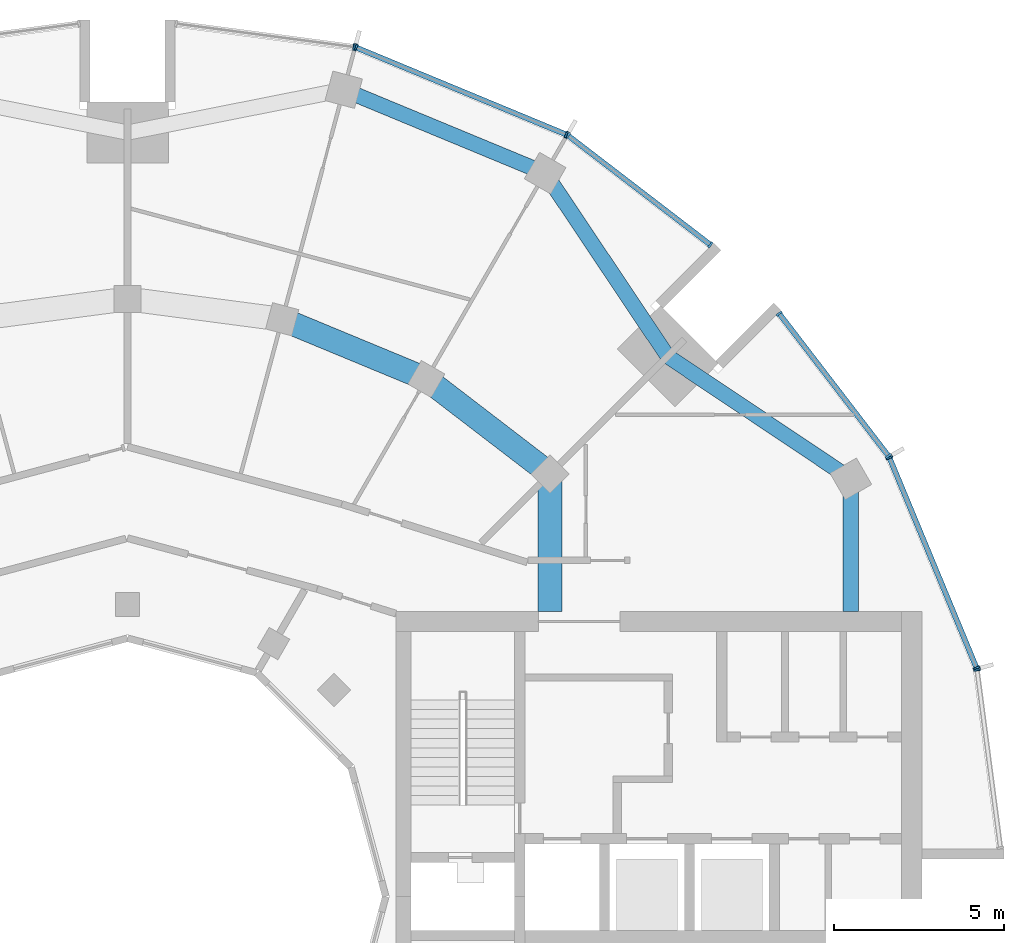
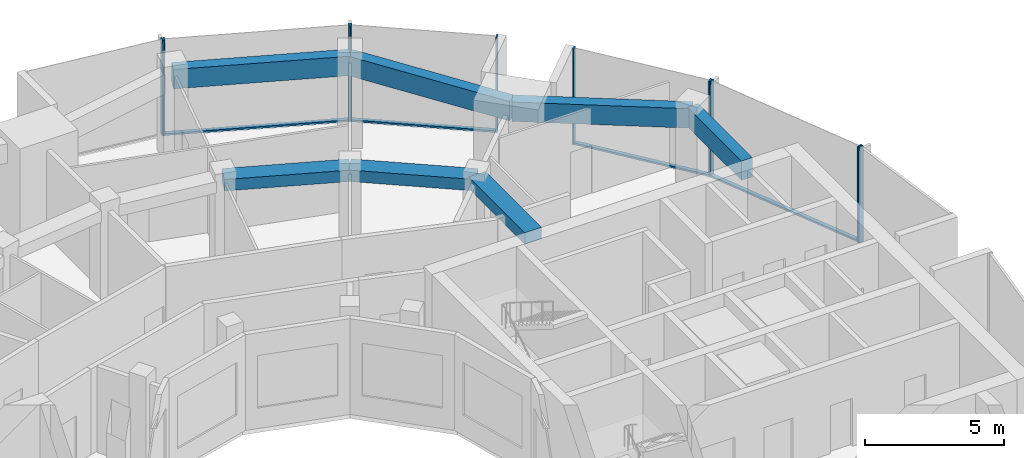
# One storey, part 6 of 15: 14 members, 7 beams, 6 elements without a shape of their own.
"""IFC4 building model written with IfcOpenShell, lengths in metres."""

from ifc_helpers import new_model, si_unit, direction, frame, origin, origin_2d, place, context, subcontext, project, spatial, rectangle, extrude, material, layer, layer_set, material_profile, profile_set, type_object, element, aggregate, save


model = new_model("IFC4")

# Units and contexts
model_context = context("Model", 3, precision=1e-05, world=origin(), true_north=direction((0.0, 1.0)))
body_context = subcontext(model_context, "Body", "Model", "MODEL_VIEW")
ifc_project = project(units=[si_unit("LENGTHUNIT", "METRE"), si_unit("AREAUNIT", "SQUARE_METRE"), si_unit("VOLUMEUNIT", "CUBIC_METRE"), si_unit("PLANEANGLEUNIT", "RADIAN"), si_unit("MASSUNIT", "GRAM", prefix="KILO")], contexts=[model_context])

# Site, building, storey
site_placement = place(None, origin())
site = spatial("IfcSite", under=ifc_project, at=site_placement, CompositionType="ELEMENT")
building_placement = place(site_placement, origin())
building = spatial("IfcBuilding", under=site, at=building_placement, Name="Torre Brocal", CompositionType="ELEMENT")
storey_placement = place(building_placement, frame((0.0, 0.0, 212.5)))
storey = spatial("IfcBuildingStorey", under=building, at=storey_placement, Name="L49", CompositionType="ELEMENT", Elevation=212.5)

# Curtain wall, members
ifc_material_1 = material(Name="Aluminium and glass", Category="aluminium")
ifc_layer_1 = layer(ifc_material_1, 0.199951171875)
ifc_layer_set_1 = layer_set([ifc_layer_1], Name="Aluminium and glass")
curtain_wall_type_1 = type_object("IfcCurtainWallType", Name="CW-1 CURTAIN WALL 4200 HIGH", PredefinedType="NOTDEFINED", material=ifc_layer_set_1)
curtain_wall_1_placement = place(storey_placement, origin())
curtain_wall_1 = element("IfcCurtainWall", 1, at=curtain_wall_1_placement, inside=storey, type_object=curtain_wall_type_1, Name="CW-1 RUN 2", PredefinedType="NOTDEFINED")
ifc_material_2 = material(Name="Aluminium, dark anodised", Category="aluminium")
ifc_material_profile_1 = material_profile(ifc_material_2, rectangle(XDim=0.199951171875, YDim=0.06005859375, at=origin_2d()), Name="CW-1 MULLION 60X200")
ifc_profile_set_1 = profile_set([ifc_material_profile_1], Name="Aluminium, dark anodised")
member_type_1 = type_object("IfcMemberType", Name="CW-1 MULLION 60X200", PredefinedType="MULLION", material=ifc_profile_set_1)
member_1_placement = place(storey_placement, frame((105.005126953125, 81.73095703125, 0.0), z_axis=(0.0, 0.0, 1.0), x_axis=(-0.923879532525, -0.382683432333, 0.0)))
member_1 = element("IfcMember", 2, at=member_1_placement, type_object=member_type_1, Name="CW1-5 mullion 1", PredefinedType="MULLION", context=body_context, shape_type="SweptSolid", body=[
    extrude(rectangle(XDim=0.199951171875, YDim=0.06005859375, at=origin_2d()), origin(), (0.0, 0.0, 1.0), 4.199951171875),
])
member_2_placement = place(storey_placement, frame((102.440673828125, 87.921875, 0.0), z_axis=(0.0, 0.0, 1.0), x_axis=(-0.923879532525, -0.382683432333, 0.0)))
member_2 = element("IfcMember", 3, at=member_2_placement, type_object=member_type_1, Name="CW1-5 mullion 2", PredefinedType="MULLION", context=body_context, shape_type="SweptSolid", body=[
    extrude(rectangle(XDim=0.199951171875, YDim=0.06005859375, at=origin_2d()), origin(), (0.0, 0.0, 1.0), 4.199951171875),
])

curtain_wall_2_placement = place(storey_placement, origin())
curtain_wall_2 = element("IfcCurtainWall", 4, at=curtain_wall_2_placement, inside=storey, type_object=curtain_wall_type_1, Name="CW-1 RUN 3", PredefinedType="NOTDEFINED")
member_3_placement = place(storey_placement, frame((102.4111328125, 87.973388671875, 0.0), z_axis=(0.0, 0.0, 1.0), x_axis=(-0.793353340259, -0.60876142905, 0.0)))
member_3 = element("IfcMember", 5, at=member_3_placement, type_object=member_type_1, Name="CW1-5 mullion 1", PredefinedType="MULLION", context=body_context, shape_type="SweptSolid", body=[
    extrude(rectangle(XDim=0.199951171875, YDim=0.06005859375, at=origin_2d()), origin(), (0.0, 0.0, 1.0), 4.199951171875),
])
member_4_placement = place(storey_placement, frame((99.19140625, 92.16943359375, 0.0), z_axis=(0.0, 0.0, 1.0), x_axis=(-0.793353340259, -0.60876142905, 0.0)))
member_4 = element("IfcMember", 6, at=member_4_placement, type_object=member_type_1, Name="CW1-5 mullion 2", PredefinedType="MULLION", context=body_context, shape_type="SweptSolid", body=[
    extrude(rectangle(XDim=0.199951171875, YDim=0.06005859375, at=origin_2d()), origin(), (0.0, 0.0, 1.0), 4.199951171875),
])

curtain_wall_3_placement = place(storey_placement, origin())
curtain_wall_3 = element("IfcCurtainWall", 7, at=curtain_wall_3_placement, inside=storey, type_object=curtain_wall_type_1, Name="CW-1 RUN 4", PredefinedType="NOTDEFINED")
member_5_placement = place(storey_placement, frame((97.16943359375, 94.19140625, 0.0), z_axis=(0.0, 0.0, 1.0), x_axis=(-0.60876142905, -0.793353340259, 0.0)))
member_5 = element("IfcMember", 8, at=member_5_placement, type_object=member_type_1, Name="CW1-5 mullion 1", PredefinedType="MULLION", context=body_context, shape_type="SweptSolid", body=[
    extrude(rectangle(XDim=0.199951171875, YDim=0.06005859375, at=origin_2d()), origin(), (0.0, 0.0, 1.0), 4.199951171875),
])
member_6_placement = place(storey_placement, frame((92.973388671875, 97.4111328125, 0.0), z_axis=(0.0, 0.0, 1.0), x_axis=(-0.60876142905, -0.793353340259, 0.0)))
member_6 = element("IfcMember", 9, at=member_6_placement, type_object=member_type_1, Name="CW1-5 mullion 2", PredefinedType="MULLION", context=body_context, shape_type="SweptSolid", body=[
    extrude(rectangle(XDim=0.199951171875, YDim=0.06005859375, at=origin_2d()), origin(), (0.0, 0.0, 1.0), 4.199951171875),
])

curtain_wall_4_placement = place(storey_placement, origin())
curtain_wall_4 = element("IfcCurtainWall", 10, at=curtain_wall_4_placement, inside=storey, type_object=curtain_wall_type_1, Name="CW-1 RUN 5", PredefinedType="NOTDEFINED")
member_7_placement = place(storey_placement, frame((92.921875, 97.440673828125, 0.0), z_axis=(0.0, 0.0, 1.0), x_axis=(-0.382683432333, -0.923879532525, 0.0)))
member_7 = element("IfcMember", 11, at=member_7_placement, type_object=member_type_1, Name="CW1-5 mullion 1", PredefinedType="MULLION", context=body_context, shape_type="SweptSolid", body=[
    extrude(rectangle(XDim=0.199951171875, YDim=0.06005859375, at=origin_2d()), origin(), (0.0, 0.0, 1.0), 4.199951171875),
])
member_8_placement = place(storey_placement, frame((86.73095703125, 100.005126953125, 0.0), z_axis=(0.0, 0.0, 1.0), x_axis=(-0.382683432333, -0.923879532525, 0.0)))
member_8 = element("IfcMember", 12, at=member_8_placement, type_object=member_type_1, Name="CW1-5 mullion 2", PredefinedType="MULLION", context=body_context, shape_type="SweptSolid", body=[
    extrude(rectangle(XDim=0.199951171875, YDim=0.06005859375, at=origin_2d()), origin(), (0.0, 0.0, 1.0), 4.199951171875),
])

# Curtain wall, member
curtain_wall_5_placement = place(storey_placement, origin())
curtain_wall_5 = element("IfcCurtainWall", 13, at=curtain_wall_5_placement, inside=storey, type_object=curtain_wall_type_1, Name="CW-1 RUN 6", PredefinedType="NOTDEFINED")
member_9_placement = place(storey_placement, frame((86.67333984375, 100.0205078125, 0.0), z_axis=(0.0, 0.0, 1.0), x_axis=(-0.13052619222, -0.991444861374, 0.0)))
member_9 = element("IfcMember", 14, at=member_9_placement, type_object=member_type_1, Name="CW1-5 mullion 1", PredefinedType="MULLION", context=body_context, shape_type="SweptSolid", body=[
    extrude(rectangle(XDim=0.199951171875, YDim=0.06005859375, at=origin_2d()), origin(), (0.0, 0.0, 1.0), 4.199951171875),
])
aggregate(curtain_wall_5, [member_9])

# Member
ifc_material_3 = material(Name="Aluminium, dark anodised", Category="aluminium")
ifc_material_profile_2 = material_profile(ifc_material_3, rectangle(XDim=0.159912109375, YDim=0.080078125, at=origin_2d()), Name="CW-1 TRANSOM 160X80")
ifc_profile_set_2 = profile_set([ifc_material_profile_2], Name="Aluminium, dark anodised")
member_type_2 = type_object("IfcMemberType", Name="CW-1 TRANSOM 160X80", PredefinedType="USERDEFINED", material=ifc_profile_set_2)
member_10_placement = place(storey_placement, frame((104.99365234375, 81.758544921875, 0.0400390625), z_axis=(-0.38266457234, 0.923887344364, 0.0), x_axis=(-0.923887344364, -0.38266457234, 0.0)))
member_10 = element("IfcMember", 15, at=member_10_placement, type_object=member_type_2, Name="CW1-5 transom 1.1", ObjectType="TRANSOM", PredefinedType="USERDEFINED", context=body_context, shape_type="SweptSolid", body=[
    extrude(rectangle(XDim=0.159912109375, YDim=0.080078125, at=origin_2d()), origin(), (0.0, 0.0, 1.0), 6.640869140625),
])

aggregate(curtain_wall_1, [member_1, member_2, member_10])

member_11_placement = place(storey_placement, frame((102.392822265625, 87.9970703125, 0.0400390625), z_axis=(-0.60874908096, 0.79336281513, 0.0), x_axis=(-0.79336281513, -0.60874908096, 0.0)))
member_11 = element("IfcMember", 16, at=member_11_placement, type_object=member_type_2, Name="CW1-5 transom 1.1", ObjectType="TRANSOM", PredefinedType="USERDEFINED", context=body_context, shape_type="SweptSolid", body=[
    extrude(rectangle(XDim=0.159912109375, YDim=0.080078125, at=origin_2d()), origin(), (0.0, 0.0, 1.0), 5.22900390625),
])

aggregate(curtain_wall_2, [member_3, member_4, member_11])

member_12_placement = place(storey_placement, frame((97.1455078125, 94.209716796875, 0.0400390625), z_axis=(-0.79336281513, 0.60874908096, 0.0), x_axis=(-0.60874908096, -0.79336281513, 0.0)))
member_12 = element("IfcMember", 17, at=member_12_placement, type_object=member_type_2, Name="CW1-5 transom 1.1", ObjectType="TRANSOM", PredefinedType="USERDEFINED", context=body_context, shape_type="SweptSolid", body=[
    extrude(rectangle(XDim=0.159912109375, YDim=0.080078125, at=origin_2d()), origin(), (0.0, 0.0, 1.0), 5.22900390625),
])

aggregate(curtain_wall_3, [member_5, member_6, member_12])

member_13_placement = place(storey_placement, frame((92.89404296875, 97.452392578125, 0.0400390625), z_axis=(-0.923887344364, 0.38266457234, 0.0), x_axis=(-0.38266457234, -0.923887344364, 0.0)))
member_13 = element("IfcMember", 18, at=member_13_placement, type_object=member_type_2, Name="CW1-5 transom 1.1", ObjectType="TRANSOM", PredefinedType="USERDEFINED", context=body_context, shape_type="SweptSolid", body=[
    extrude(rectangle(XDim=0.159912109375, YDim=0.080078125, at=origin_2d()), origin(), (0.0, 0.0, 1.0), 6.640869140625),
])

aggregate(curtain_wall_4, [member_7, member_8, member_13])

# Curtain wall, member
ifc_material_4 = material(Name="Aluminium and glass", Category="aluminium")
ifc_layer_2 = layer(ifc_material_4, 0.199951171875)
ifc_layer_set_2 = layer_set([ifc_layer_2], Name="Aluminium and glass")
curtain_wall_type_2 = type_object("IfcCurtainWallType", Name="CW-1B CURTAIN WALL 4200 HIGH", PredefinedType="NOTDEFINED", material=ifc_layer_set_2)
curtain_wall_6_placement = place(storey_placement, origin())
curtain_wall_6 = element("IfcCurtainWall", 19, at=curtain_wall_6_placement, inside=storey, type_object=curtain_wall_type_2, Name="CW-1B RUN 1", PredefinedType="NOTDEFINED")
ifc_material_5 = material(Name="Aluminium, dark anodised", Category="aluminium")
ifc_material_profile_3 = material_profile(ifc_material_5, rectangle(XDim=0.199951171875, YDim=0.06005859375, at=origin_2d()), Name="CW-1B MULLION 60X200")
ifc_profile_set_3 = profile_set([ifc_material_profile_3], Name="Aluminium, dark anodised")
member_type_3 = type_object("IfcMemberType", Name="CW-1B MULLION 60X200", PredefinedType="MULLION", material=ifc_profile_set_3)
member_14_placement = place(storey_placement, frame((105.0205078125, 81.67333984375, 0.0), z_axis=(0.0, 0.0, 1.0), x_axis=(-0.991444861374, -0.13052619222, 0.0)))
member_14 = element("IfcMember", 20, at=member_14_placement, type_object=member_type_3, Name="CW1B-5 mullion 2", PredefinedType="MULLION", context=body_context, shape_type="SweptSolid", body=[
    extrude(rectangle(XDim=0.199951171875, YDim=0.06005859375, at=origin_2d()), origin(), (0.0, 0.0, 1.0), 4.199951171875),
])
aggregate(curtain_wall_6, [member_14])

# Beams
ifc_material_6 = material(Name="Concrete C50", Category="concrete")
ifc_material_profile_4 = material_profile(ifc_material_6, rectangle(XDim=0.699951171875, YDim=0.5, at=origin_2d()), Name="RC 700X500")
ifc_profile_set_4 = profile_set([ifc_material_profile_4], Name="Concrete C50")
beam_type_1 = type_object("IfcBeamType", Name="RC BEAM 700X500 C50 TOP 3880", PredefinedType="BEAM", material=ifc_profile_set_4)
beam_1_placement = place(storey_placement, frame((92.445068359375, 87.445068359375, 3.6298828125), z_axis=(-0.793358265959, 0.6087550097, 0.0), x_axis=(-0.6087550097, -0.793358265959, 0.0)))
element("IfcBeam", 21, at=beam_1_placement, inside=storey, type_object=beam_type_1, Name="Beam BT-37", PredefinedType="BEAM", context=body_context, shape_type="SweptSolid", body=[
    extrude(rectangle(XDim=0.699951171875, YDim=0.5, at=origin_2d()), origin(), (0.0, 0.0, 1.0), 4.594482421875),
])
beam_2_placement = place(storey_placement, frame((88.800048828125, 90.241943359375, 3.6298828125), z_axis=(-0.923878240166, 0.382686552348, 0.0), x_axis=(-0.382686552348, -0.923878240166, 0.0)))
element("IfcBeam", 22, at=beam_2_placement, inside=storey, type_object=beam_type_1, Name="Beam BT-37", PredefinedType="BEAM", context=body_context, shape_type="SweptSolid", body=[
    extrude(rectangle(XDim=0.699951171875, YDim=0.5, at=origin_2d()), origin(), (0.0, 0.0, 1.0), 4.5947265625),
])
beam_3_placement = place(storey_placement, frame((92.445068359375, 87.445068359375, 3.6298828125), z_axis=(0.0, -1.0, 0.0), x_axis=(1.0, 0.0, 0.0)))
element("IfcBeam", 23, at=beam_3_placement, inside=storey, type_object=beam_type_1, Name="Beam BT-37", PredefinedType="BEAM", context=body_context, shape_type="SweptSolid", body=[
    extrude(rectangle(XDim=0.699951171875, YDim=0.5, at=origin_2d()), origin(), (0.0, 0.0, 1.0), 4.045166015625),
])
ifc_material_7 = material(Name="Concrete C50", Category="concrete")
ifc_material_profile_5 = material_profile(ifc_material_7, rectangle(XDim=0.449951171875, YDim=0.85009765625, at=origin_2d()), Name="RC 450X850")
ifc_profile_set_5 = profile_set([ifc_material_profile_5], Name="Concrete C50")
beam_type_2 = type_object("IfcBeamType", Name="RC SPANDREL BEAM 450X850 C50 TOP 3880", PredefinedType="SPANDREL", material=ifc_profile_set_5)
for number, where, z_axis, x_axis, name in (
    (24, (101.30419921875, 87.300048828125, 3.455078125), (-0.831076844476, 0.556157602282, 0.0), (-0.556157602282, -0.831076844476, 0.0), "Beam BT-38"),
    (25, (95.909912109375, 90.909912109375, 3.455078125), (-0.556157602282, 0.831076844476, 0.0), (-0.831076844476, -0.556157602282, 0.0), "Beam BT-38"),
):
    element("IfcBeam", number, at=place(storey_placement, frame(where, z_axis=z_axis, x_axis=x_axis)), inside=storey, type_object=beam_type_2, Name=name, PredefinedType="SPANDREL", context=body_context, shape_type="SweptSolid", body=[
        extrude(rectangle(XDim=0.449951171875, YDim=0.85009765625, at=origin_2d()), origin(), (0.0, 0.0, 1.0), 6.49072265625),
    ])
beam_4_placement = place(storey_placement, frame((92.300048828125, 96.30419921875, 3.455078125), z_axis=(-0.923882462513, 0.382676358639, 0.0), x_axis=(-0.382676358639, -0.923882462513, 0.0)))
element("IfcBeam", 26, at=beam_4_placement, inside=storey, type_object=beam_type_2, Name="Beam BT-38", PredefinedType="SPANDREL", context=body_context, shape_type="SweptSolid", body=[
    extrude(rectangle(XDim=0.449951171875, YDim=0.85009765625, at=origin_2d()), origin(), (0.0, 0.0, 1.0), 6.421875),
])
beam_5_placement = place(storey_placement, frame((101.30419921875, 87.300048828125, 3.455078125), z_axis=(0.0, -1.0, 0.0), x_axis=(1.0, 0.0, 0.0)))
element("IfcBeam", 27, at=beam_5_placement, inside=storey, type_object=beam_type_2, Name="Beam BT-38", PredefinedType="SPANDREL", context=body_context, shape_type="SweptSolid", body=[
    extrude(rectangle(XDim=0.449951171875, YDim=0.85009765625, at=origin_2d()), origin(), (0.0, 0.0, 1.0), 3.900146484375),
])

save(model, "model.ifc")
